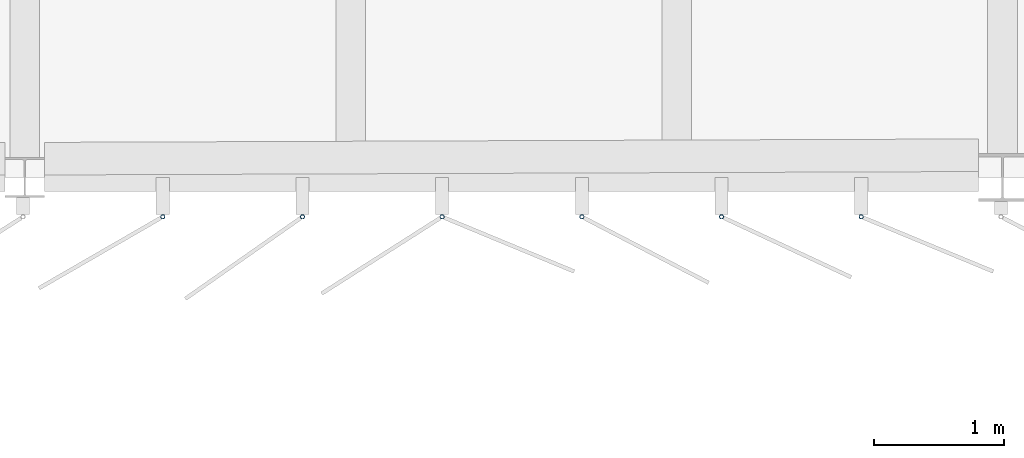
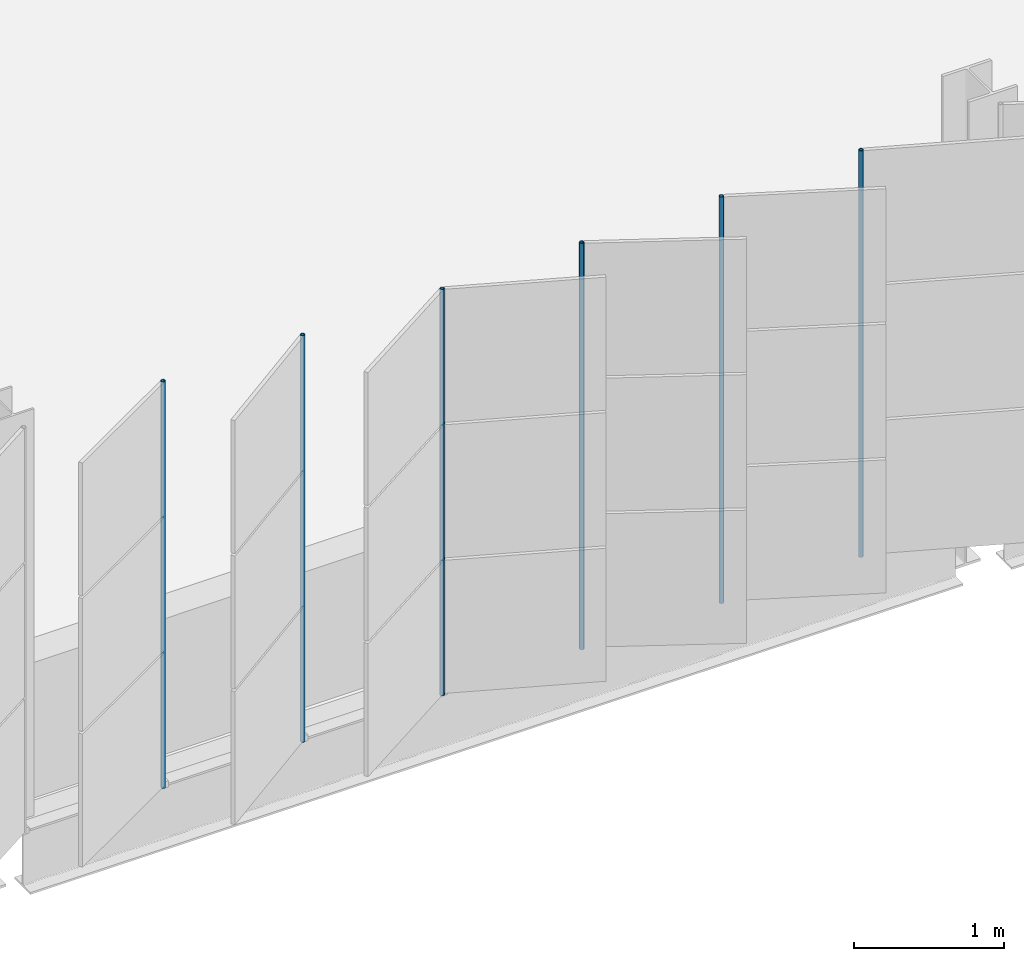
# One storey, part 76 of 199: 6 discrete accessories.
"""IFC4 building model written with IfcOpenShell, lengths in metres."""

from ifc_helpers import new_model, si_unit, direction, frame, origin, origin_2d, place, context, subcontext, project, spatial, hollow_circle, extrude, material, material_profile, profile_set, type_object, element, save


model = new_model("IFC4")

# Units and contexts
model_context = context("Model", 3, precision=1e-05, world=origin(), true_north=direction((0.0, 1.0)))
body_context = subcontext(model_context, "Body", "Model", "MODEL_VIEW")
ifc_project = project(units=[si_unit("LENGTHUNIT", "METRE"), si_unit("AREAUNIT", "SQUARE_METRE"), si_unit("VOLUMEUNIT", "CUBIC_METRE"), si_unit("PLANEANGLEUNIT", "RADIAN"), si_unit("MASSUNIT", "GRAM", prefix="KILO")], contexts=[model_context])

# Site, building, storey
site_placement = place(None, origin())
site = spatial("IfcSite", under=ifc_project, at=site_placement, CompositionType="ELEMENT")
building_placement = place(site_placement, origin())
building = spatial("IfcBuilding", under=site, at=building_placement, Name="Parallax Yard Mobility Hub", CompositionType="ELEMENT")
storey_placement = place(building_placement, frame((0.0, 0.0, 9.89990234375)))
storey = spatial("IfcBuildingStorey", under=building, at=storey_placement, Name="L03", CompositionType="ELEMENT", Elevation=9.89990234375)

# Discrete accessories
ifc_material = material(Name="Steel ASTM A500 Gr C, hot-dip galvanised", Category="steel")
ifc_material_profile = material_profile(ifc_material, hollow_circle(Radius=0.016845703125, WallThickness=0.003173828125, at=origin_2d()), Name="CHS 33.7x3.2")
ifc_profile_set = profile_set([ifc_material_profile], Name="Steel ASTM A500 Gr C, hot-dip galvanised")
discrete_accessory_type = type_object("IfcDiscreteAccessoryType", Name="Hinge post CHS 33.7x3.2", PredefinedType="BRACKET", material=ifc_profile_set)
for number, where, z_axis, x_axis, name in (
    (1, (53.558349609375, 112.199951171875, 0.0), (0.0, 0.0, 1.0), (1.0, 0.0, 0.0), "Hinge post bay 4.2 level L03"),
    (2, (54.6298828125, 112.199951171875, 0.0), (0.0, 0.0, 1.0), (1.0, 0.0, 0.0), "Hinge post bay 4.3 level L03"),
    (3, (55.701416015625, 112.199951171875, 0.0), (0.0, 0.0, 1.0), (1.0, 0.0, 0.0), "Hinge post bay 4.4 level L03"),
    (4, (56.772705078125, 112.199951171875, 0.0), (0.0, 0.0, 1.0), (1.0, 0.0, 0.0), "Hinge post bay 4.5 level L03"),
    (5, (57.84423828125, 112.199951171875, 0.0), (0.0, 0.0, 1.0), (1.0, 0.0, 0.0), "Hinge post bay 4.6 level L03"),
    (6, (58.915771484375, 112.199951171875, 0.0), (0.0, 0.0, 1.0), (1.0, 0.0, 0.0), "Hinge post bay 4.7 level L03"),
):
    element("IfcDiscreteAccessory", number, at=place(storey_placement, frame(where, z_axis=z_axis, x_axis=x_axis)), inside=storey, type_object=discrete_accessory_type, Name=name, PredefinedType="BRACKET", context=body_context, shape_type="SweptSolid", body=[
        extrude(hollow_circle(Radius=0.016845703125, WallThickness=0.003173828125, at=origin_2d()), origin(), (0.0, 0.0, 1.0), 3.300048828125),
    ])

save(model, "model.ifc")
